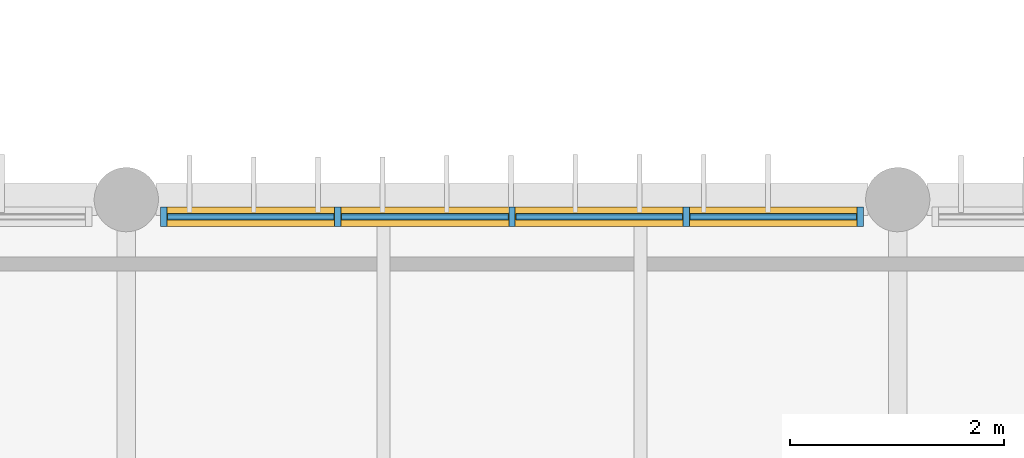
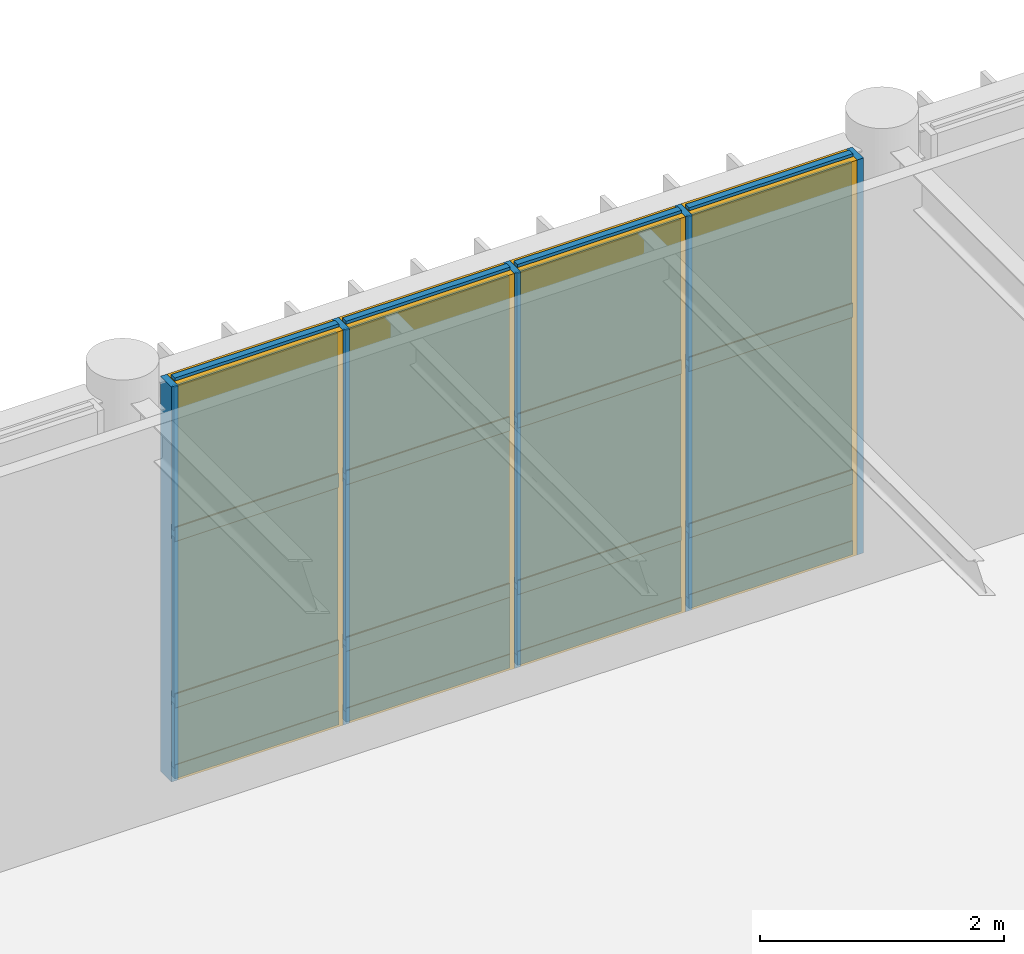
# One storey, part 80 of 104: 21 members, 12 plates, 1 curtain wall.
"""IFC4 building model written with IfcOpenShell, lengths in metres."""

from ifc_helpers import new_model, si_unit, direction, frame, frame_2d, origin, origin_2d, place, context, subcontext, project, spatial, rectangle, extrude, material, layer, layer_set, material_profile, profile_set, type_object, element, aggregate, save


model = new_model("IFC4")

# Units and contexts
model_context = context("Model", 3, precision=1e-05, world=origin(), true_north=direction((0.0, 1.0)))
body_context = subcontext(model_context, "Body", "Model", "MODEL_VIEW")
ifc_project = project(units=[si_unit("LENGTHUNIT", "METRE"), si_unit("AREAUNIT", "SQUARE_METRE"), si_unit("VOLUMEUNIT", "CUBIC_METRE"), si_unit("PLANEANGLEUNIT", "RADIAN"), si_unit("MASSUNIT", "GRAM", prefix="KILO")], contexts=[model_context])

# Member
ifc_material_1 = material(Name="Anodised Bronze Aluminium 6063-T6", Category="aluminium")
ifc_material_profile_1 = material_profile(ifc_material_1, rectangle(XDim=0.06005859375, YDim=0.179931640625, at=origin_2d()), Name="ALU MULLION 60x180")
ifc_profile_set_1 = profile_set([ifc_material_profile_1], Name="Anodised Bronze Aluminium 6063-T6")
member_type_1 = type_object("IfcMemberType", Name="Curtain-Wall Primary Mullion 60x180", PredefinedType="MULLION", material=ifc_profile_set_1)
site_placement = place(None, origin())
building_placement = place(site_placement, origin())
storey_placement = place(building_placement, frame((0.0, 0.0, 9.0)))
member_1_placement = place(storey_placement, frame((102.949951171875, 30.0400390625, 0.0), z_axis=(0.0, 0.0, 1.0), x_axis=(1.0, 0.0, 0.0)))
member_1 = element("IfcMember", 1, at=member_1_placement, type_object=member_type_1, Name="Mullion CWM-01 CW-V5-NRET-E-L02-B2-M01", PredefinedType="MULLION", context=body_context, shape_type="SweptSolid", body=[
    extrude(rectangle(XDim=0.06005859375, YDim=0.179931640625, at=origin_2d()), origin(), (0.0, 0.0, 1.0), 3.9599609375),
])

member_2_placement = place(storey_placement, frame((104.574951171875, 30.0400390625, 0.0), z_axis=(0.0, 0.0, 1.0), x_axis=(1.0, 0.0, 0.0)))
member_2 = element("IfcMember", 2, at=member_2_placement, type_object=member_type_1, Name="Mullion CWM-01 CW-V5-NRET-E-L02-B2-M02", PredefinedType="MULLION", context=body_context, shape_type="SweptSolid", body=[
    extrude(rectangle(XDim=0.06005859375, YDim=0.179931640625, at=origin_2d()), origin(), (0.0, 0.0, 1.0), 3.9599609375),
])

member_3_placement = place(storey_placement, frame((106.199951171875, 30.0400390625, 0.0), z_axis=(0.0, 0.0, 1.0), x_axis=(1.0, 0.0, 0.0)))
member_3 = element("IfcMember", 3, at=member_3_placement, type_object=member_type_1, Name="Mullion CWM-01 CW-V5-NRET-E-L02-B2-M03", PredefinedType="MULLION", context=body_context, shape_type="SweptSolid", body=[
    extrude(rectangle(XDim=0.06005859375, YDim=0.179931640625, at=origin_2d()), origin(), (0.0, 0.0, 1.0), 3.9599609375),
])

member_4_placement = place(storey_placement, frame((107.824951171875, 30.0400390625, 0.0), z_axis=(0.0, 0.0, 1.0), x_axis=(1.0, 0.0, 0.0)))
member_4 = element("IfcMember", 4, at=member_4_placement, type_object=member_type_1, Name="Mullion CWM-01 CW-V5-NRET-E-L02-B2-M04", PredefinedType="MULLION", context=body_context, shape_type="SweptSolid", body=[
    extrude(rectangle(XDim=0.06005859375, YDim=0.179931640625, at=origin_2d()), origin(), (0.0, 0.0, 1.0), 3.9599609375),
])

member_5_placement = place(storey_placement, frame((109.449951171875, 30.0400390625, 0.0), z_axis=(0.0, 0.0, 1.0), x_axis=(1.0, 0.0, 0.0)))
member_5 = element("IfcMember", 5, at=member_5_placement, type_object=member_type_1, Name="Mullion CWM-01 CW-V5-NRET-E-L02-B2-M05", PredefinedType="MULLION", context=body_context, shape_type="SweptSolid", body=[
    extrude(rectangle(XDim=0.06005859375, YDim=0.179931640625, at=origin_2d()), origin(), (0.0, 0.0, 1.0), 3.9599609375),
])

ifc_material_profile_2 = material_profile(ifc_material_1, rectangle(XDim=0.06005859375, YDim=0.139892578125, at=origin_2d()), Name="ALU TRANSOM 60x140")
ifc_profile_set_2 = profile_set([ifc_material_profile_2], Name="Anodised Bronze Aluminium 6063-T6")
member_type_2 = type_object("IfcMemberType", Name="Curtain-Wall Transom 60x140", PredefinedType="USERDEFINED", material=ifc_profile_set_2)
member_6_placement = place(storey_placement, frame((102.985107421875, 30.0400390625, 0.0400390625), z_axis=(1.0, 0.0, 0.0), x_axis=(0.0, 1.0, 0.0)))
member_6 = element("IfcMember", 6, at=member_6_placement, type_object=member_type_2, Name="Transom CWT-01 CW-V5-NRET-E-L02-B2-T01.1", ObjectType="TRANSOM", PredefinedType="USERDEFINED", context=body_context, shape_type="SweptSolid", body=[
    extrude(rectangle(XDim=0.06005859375, YDim=0.139892578125, at=origin_2d()), origin(), (0.0, 0.0, 1.0), 1.554931640625),
])

member_7_placement = place(storey_placement, frame((102.985107421875, 30.0400390625, 0.75), z_axis=(1.0, 0.0, 0.0), x_axis=(0.0, 1.0, 0.0)))
member_7 = element("IfcMember", 7, at=member_7_placement, type_object=member_type_2, Name="Transom CWT-01 CW-V5-NRET-E-L02-B2-T01.2", ObjectType="TRANSOM", PredefinedType="USERDEFINED", context=body_context, shape_type="SweptSolid", body=[
    extrude(rectangle(XDim=0.06005859375, YDim=0.139892578125, at=origin_2d()), origin(), (0.0, 0.0, 1.0), 1.554931640625),
])

member_8_placement = place(storey_placement, frame((102.985107421875, 30.0400390625, 2.419189453125), z_axis=(1.0, 0.0, 0.0), x_axis=(0.0, 1.0, 0.0)))
member_8 = element("IfcMember", 8, at=member_8_placement, type_object=member_type_2, Name="Transom CWT-01 CW-V5-NRET-E-L02-B2-T01.3", ObjectType="TRANSOM", PredefinedType="USERDEFINED", context=body_context, shape_type="SweptSolid", body=[
    extrude(rectangle(XDim=0.06005859375, YDim=0.139892578125, at=origin_2d()), origin(), (0.0, 0.0, 1.0), 1.554931640625),
])

member_9_placement = place(storey_placement, frame((102.985107421875, 30.0400390625, 3.919921875), z_axis=(1.0, 0.0, 0.0), x_axis=(0.0, 1.0, 0.0)))
member_9 = element("IfcMember", 9, at=member_9_placement, type_object=member_type_2, Name="Transom CWT-01 CW-V5-NRET-E-L02-B2-T01.4", ObjectType="TRANSOM", PredefinedType="USERDEFINED", context=body_context, shape_type="SweptSolid", body=[
    extrude(rectangle(XDim=0.06005859375, YDim=0.139892578125, at=origin_2d()), origin(), (0.0, 0.0, 1.0), 1.554931640625),
])

member_10_placement = place(storey_placement, frame((104.610107421875, 30.0400390625, 0.0400390625), z_axis=(1.0, 0.0, 0.0), x_axis=(0.0, 1.0, 0.0)))
member_10 = element("IfcMember", 10, at=member_10_placement, type_object=member_type_2, Name="Transom CWT-01 CW-V5-NRET-E-L02-B2-T02.1", ObjectType="TRANSOM", PredefinedType="USERDEFINED", context=body_context, shape_type="SweptSolid", body=[
    extrude(rectangle(XDim=0.06005859375, YDim=0.139892578125, at=origin_2d()), origin(), (0.0, 0.0, 1.0), 1.554931640625),
])

member_11_placement = place(storey_placement, frame((104.610107421875, 30.0400390625, 0.75), z_axis=(1.0, 0.0, 0.0), x_axis=(0.0, 1.0, 0.0)))
member_11 = element("IfcMember", 11, at=member_11_placement, type_object=member_type_2, Name="Transom CWT-01 CW-V5-NRET-E-L02-B2-T02.2", ObjectType="TRANSOM", PredefinedType="USERDEFINED", context=body_context, shape_type="SweptSolid", body=[
    extrude(rectangle(XDim=0.06005859375, YDim=0.139892578125, at=origin_2d()), origin(), (0.0, 0.0, 1.0), 1.554931640625),
])

member_12_placement = place(storey_placement, frame((104.610107421875, 30.0400390625, 2.419189453125), z_axis=(1.0, 0.0, 0.0), x_axis=(0.0, 1.0, 0.0)))
member_12 = element("IfcMember", 12, at=member_12_placement, type_object=member_type_2, Name="Transom CWT-01 CW-V5-NRET-E-L02-B2-T02.3", ObjectType="TRANSOM", PredefinedType="USERDEFINED", context=body_context, shape_type="SweptSolid", body=[
    extrude(rectangle(XDim=0.06005859375, YDim=0.139892578125, at=origin_2d()), origin(), (0.0, 0.0, 1.0), 1.554931640625),
])

member_13_placement = place(storey_placement, frame((104.610107421875, 30.0400390625, 3.919921875), z_axis=(1.0, 0.0, 0.0), x_axis=(0.0, 1.0, 0.0)))
member_13 = element("IfcMember", 13, at=member_13_placement, type_object=member_type_2, Name="Transom CWT-01 CW-V5-NRET-E-L02-B2-T02.4", ObjectType="TRANSOM", PredefinedType="USERDEFINED", context=body_context, shape_type="SweptSolid", body=[
    extrude(rectangle(XDim=0.06005859375, YDim=0.139892578125, at=origin_2d()), origin(), (0.0, 0.0, 1.0), 1.554931640625),
])

member_14_placement = place(storey_placement, frame((106.235107421875, 30.0400390625, 0.0400390625), z_axis=(1.0, 0.0, 0.0), x_axis=(0.0, 1.0, 0.0)))
member_14 = element("IfcMember", 14, at=member_14_placement, type_object=member_type_2, Name="Transom CWT-01 CW-V5-NRET-E-L02-B2-T03.1", ObjectType="TRANSOM", PredefinedType="USERDEFINED", context=body_context, shape_type="SweptSolid", body=[
    extrude(rectangle(XDim=0.06005859375, YDim=0.139892578125, at=origin_2d()), origin(), (0.0, 0.0, 1.0), 1.554931640625),
])

member_15_placement = place(storey_placement, frame((106.235107421875, 30.0400390625, 0.75), z_axis=(1.0, 0.0, 0.0), x_axis=(0.0, 1.0, 0.0)))
member_15 = element("IfcMember", 15, at=member_15_placement, type_object=member_type_2, Name="Transom CWT-01 CW-V5-NRET-E-L02-B2-T03.2", ObjectType="TRANSOM", PredefinedType="USERDEFINED", context=body_context, shape_type="SweptSolid", body=[
    extrude(rectangle(XDim=0.06005859375, YDim=0.139892578125, at=origin_2d()), origin(), (0.0, 0.0, 1.0), 1.554931640625),
])

member_16_placement = place(storey_placement, frame((106.235107421875, 30.0400390625, 2.419189453125), z_axis=(1.0, 0.0, 0.0), x_axis=(0.0, 1.0, 0.0)))
member_16 = element("IfcMember", 16, at=member_16_placement, type_object=member_type_2, Name="Transom CWT-01 CW-V5-NRET-E-L02-B2-T03.3", ObjectType="TRANSOM", PredefinedType="USERDEFINED", context=body_context, shape_type="SweptSolid", body=[
    extrude(rectangle(XDim=0.06005859375, YDim=0.139892578125, at=origin_2d()), origin(), (0.0, 0.0, 1.0), 1.554931640625),
])

member_17_placement = place(storey_placement, frame((106.235107421875, 30.0400390625, 3.919921875), z_axis=(1.0, 0.0, 0.0), x_axis=(0.0, 1.0, 0.0)))
member_17 = element("IfcMember", 17, at=member_17_placement, type_object=member_type_2, Name="Transom CWT-01 CW-V5-NRET-E-L02-B2-T03.4", ObjectType="TRANSOM", PredefinedType="USERDEFINED", context=body_context, shape_type="SweptSolid", body=[
    extrude(rectangle(XDim=0.06005859375, YDim=0.139892578125, at=origin_2d()), origin(), (0.0, 0.0, 1.0), 1.554931640625),
])

member_18_placement = place(storey_placement, frame((107.860107421875, 30.0400390625, 0.0400390625), z_axis=(1.0, 0.0, 0.0), x_axis=(0.0, 1.0, 0.0)))
member_18 = element("IfcMember", 18, at=member_18_placement, type_object=member_type_2, Name="Transom CWT-01 CW-V5-NRET-E-L02-B2-T04.1", ObjectType="TRANSOM", PredefinedType="USERDEFINED", context=body_context, shape_type="SweptSolid", body=[
    extrude(rectangle(XDim=0.06005859375, YDim=0.139892578125, at=origin_2d()), origin(), (0.0, 0.0, 1.0), 1.554931640625),
])

member_19_placement = place(storey_placement, frame((107.860107421875, 30.0400390625, 0.75), z_axis=(1.0, 0.0, 0.0), x_axis=(0.0, 1.0, 0.0)))
member_19 = element("IfcMember", 19, at=member_19_placement, type_object=member_type_2, Name="Transom CWT-01 CW-V5-NRET-E-L02-B2-T04.2", ObjectType="TRANSOM", PredefinedType="USERDEFINED", context=body_context, shape_type="SweptSolid", body=[
    extrude(rectangle(XDim=0.06005859375, YDim=0.139892578125, at=origin_2d()), origin(), (0.0, 0.0, 1.0), 1.554931640625),
])

member_20_placement = place(storey_placement, frame((107.860107421875, 30.0400390625, 2.419189453125), z_axis=(1.0, 0.0, 0.0), x_axis=(0.0, 1.0, 0.0)))
member_20 = element("IfcMember", 20, at=member_20_placement, type_object=member_type_2, Name="Transom CWT-01 CW-V5-NRET-E-L02-B2-T04.3", ObjectType="TRANSOM", PredefinedType="USERDEFINED", context=body_context, shape_type="SweptSolid", body=[
    extrude(rectangle(XDim=0.06005859375, YDim=0.139892578125, at=origin_2d()), origin(), (0.0, 0.0, 1.0), 1.554931640625),
])

member_21_placement = place(storey_placement, frame((107.860107421875, 30.0400390625, 3.919921875), z_axis=(1.0, 0.0, 0.0), x_axis=(0.0, 1.0, 0.0)))
member_21 = element("IfcMember", 21, at=member_21_placement, type_object=member_type_2, Name="Transom CWT-01 CW-V5-NRET-E-L02-B2-T04.4", ObjectType="TRANSOM", PredefinedType="USERDEFINED", context=body_context, shape_type="SweptSolid", body=[
    extrude(rectangle(XDim=0.06005859375, YDim=0.139892578125, at=origin_2d()), origin(), (0.0, 0.0, 1.0), 1.554931640625),
])

# Plate
ifc_material_2 = material(Name="Insulated Bronze Aluminium Spandrel Panel", Category="aluminium")
ifc_layer_1 = layer(ifc_material_2, 0.050048828125, Name="Insulated Bronze Aluminium Spandrel Panel")
ifc_layer_set_1 = layer_set([ifc_layer_1], Name="Insulated Bronze Aluminium Spandrel Panel")
plate_type_1 = type_object("IfcPlateType", Name="Insulated Anodised Aluminium Spandrel Cassette 50", PredefinedType="CURTAIN_PANEL", material=ifc_layer_set_1)
plate_1_placement = place(storey_placement, frame((103.762451171875, 30.0400390625, 0.070068359375), z_axis=(0.0, 0.0, 1.0), x_axis=(1.0, 0.0, 0.0)))
plate_1 = element("IfcPlate", 22, at=plate_1_placement, type_object=plate_type_1, Name="Curtain Panel CWP-03 CW-V5-NRET-E-L02-B2-P01.1", PredefinedType="CURTAIN_PANEL", context=body_context, shape_type="SweptSolid", body=[
    extrude(rectangle(XDim=1.554931640625, YDim=0.050048828125, at=origin_2d()), origin(), (0.0, 0.0, 1.0), 0.64990234375),
])

plate_2_placement = place(storey_placement, frame((105.387451171875, 30.0400390625, 0.070068359375), z_axis=(0.0, 0.0, 1.0), x_axis=(1.0, 0.0, 0.0)))
plate_2 = element("IfcPlate", 23, at=plate_2_placement, type_object=plate_type_1, Name="Curtain Panel CWP-03 CW-V5-NRET-E-L02-B2-P02.1", PredefinedType="CURTAIN_PANEL", context=body_context, shape_type="SweptSolid", body=[
    extrude(rectangle(XDim=1.554931640625, YDim=0.050048828125, at=origin_2d()), origin(), (0.0, 0.0, 1.0), 0.64990234375),
])

plate_3_placement = place(storey_placement, frame((107.012451171875, 30.0400390625, 0.070068359375), z_axis=(0.0, 0.0, 1.0), x_axis=(1.0, 0.0, 0.0)))
plate_3 = element("IfcPlate", 24, at=plate_3_placement, type_object=plate_type_1, Name="Curtain Panel CWP-03 CW-V5-NRET-E-L02-B2-P03.1", PredefinedType="CURTAIN_PANEL", context=body_context, shape_type="SweptSolid", body=[
    extrude(rectangle(XDim=1.554931640625, YDim=0.050048828125, at=origin_2d()), origin(), (0.0, 0.0, 1.0), 0.64990234375),
])

plate_4_placement = place(storey_placement, frame((108.637451171875, 30.0400390625, 0.070068359375), z_axis=(0.0, 0.0, 1.0), x_axis=(1.0, 0.0, 0.0)))
plate_4 = element("IfcPlate", 25, at=plate_4_placement, type_object=plate_type_1, Name="Curtain Panel CWP-03 CW-V5-NRET-E-L02-B2-P04.1", PredefinedType="CURTAIN_PANEL", context=body_context, shape_type="SweptSolid", body=[
    extrude(rectangle(XDim=1.554931640625, YDim=0.050048828125, at=origin_2d()), origin(), (0.0, 0.0, 1.0), 0.64990234375),
])

ifc_material_3 = material(Name="Solar-Control Tempered Double Glazing", Category="glass")
ifc_layer_2 = layer(ifc_material_3, 0.0380859375, Name="Solar-Control Tempered Double Glazing")
ifc_layer_set_2 = layer_set([ifc_layer_2], Name="Solar-Control Tempered Double Glazing")
plate_type_2 = type_object("IfcPlateType", Name="Solar-Control Vision Glazing Unit 38", PredefinedType="CURTAIN_PANEL", material=ifc_layer_set_2)
plate_5_placement = place(storey_placement, frame((103.762451171875, 30.0400390625, 0.7802734375), z_axis=(0.0, 0.0, 1.0), x_axis=(1.0, 0.0, 0.0)))
plate_5 = element("IfcPlate", 26, at=plate_5_placement, type_object=plate_type_2, Name="Curtain Panel CWP-02 CW-V5-NRET-E-L02-B2-P01.2", PredefinedType="CURTAIN_PANEL", context=body_context, shape_type="SweptSolid", body=[
    extrude(rectangle(XDim=1.554931640625, YDim=0.0380859375, at=origin_2d()), origin(), (0.0, 0.0, 1.0), 1.609130859375),
])

plate_6_placement = place(storey_placement, frame((103.762451171875, 30.0400390625, 2.44921875), z_axis=(0.0, 0.0, 1.0), x_axis=(1.0, 0.0, 0.0)))
plate_6 = element("IfcPlate", 27, at=plate_6_placement, type_object=plate_type_2, Name="Curtain Panel CWP-02 CW-V5-NRET-E-L02-B2-P01.3", PredefinedType="CURTAIN_PANEL", context=body_context, shape_type="SweptSolid", body=[
    extrude(rectangle(XDim=1.554931640625, YDim=0.0380859375, at=origin_2d()), origin(), (0.0, 0.0, 1.0), 1.44091796875),
])

plate_7_placement = place(storey_placement, frame((105.387451171875, 30.0400390625, 0.7802734375), z_axis=(0.0, 0.0, 1.0), x_axis=(1.0, 0.0, 0.0)))
plate_7 = element("IfcPlate", 28, at=plate_7_placement, type_object=plate_type_2, Name="Curtain Panel CWP-02 CW-V5-NRET-E-L02-B2-P02.2", PredefinedType="CURTAIN_PANEL", context=body_context, shape_type="SweptSolid", body=[
    extrude(rectangle(XDim=1.554931640625, YDim=0.0380859375, at=origin_2d()), origin(), (0.0, 0.0, 1.0), 1.609130859375),
])

plate_8_placement = place(storey_placement, frame((105.387451171875, 30.0400390625, 2.44921875), z_axis=(0.0, 0.0, 1.0), x_axis=(1.0, 0.0, 0.0)))
plate_8 = element("IfcPlate", 29, at=plate_8_placement, type_object=plate_type_2, Name="Curtain Panel CWP-02 CW-V5-NRET-E-L02-B2-P02.3", PredefinedType="CURTAIN_PANEL", context=body_context, shape_type="SweptSolid", body=[
    extrude(rectangle(XDim=1.554931640625, YDim=0.0380859375, at=origin_2d()), origin(), (0.0, 0.0, 1.0), 1.44091796875),
])

plate_9_placement = place(storey_placement, frame((107.012451171875, 30.0400390625, 0.7802734375), z_axis=(0.0, 0.0, 1.0), x_axis=(1.0, 0.0, 0.0)))
plate_9 = element("IfcPlate", 30, at=plate_9_placement, type_object=plate_type_2, Name="Curtain Panel CWP-02 CW-V5-NRET-E-L02-B2-P03.2", PredefinedType="CURTAIN_PANEL", context=body_context, shape_type="SweptSolid", body=[
    extrude(rectangle(XDim=1.554931640625, YDim=0.0380859375, at=origin_2d()), origin(), (0.0, 0.0, 1.0), 1.609130859375),
])

plate_10_placement = place(storey_placement, frame((107.012451171875, 30.0400390625, 2.44921875), z_axis=(0.0, 0.0, 1.0), x_axis=(1.0, 0.0, 0.0)))
plate_10 = element("IfcPlate", 31, at=plate_10_placement, type_object=plate_type_2, Name="Curtain Panel CWP-02 CW-V5-NRET-E-L02-B2-P03.3", PredefinedType="CURTAIN_PANEL", context=body_context, shape_type="SweptSolid", body=[
    extrude(rectangle(XDim=1.554931640625, YDim=0.0380859375, at=origin_2d()), origin(), (0.0, 0.0, 1.0), 1.44091796875),
])

plate_11_placement = place(storey_placement, frame((108.637451171875, 30.0400390625, 0.7802734375), z_axis=(0.0, 0.0, 1.0), x_axis=(1.0, 0.0, 0.0)))
plate_11 = element("IfcPlate", 32, at=plate_11_placement, type_object=plate_type_2, Name="Curtain Panel CWP-02 CW-V5-NRET-E-L02-B2-P04.2", PredefinedType="CURTAIN_PANEL", context=body_context, shape_type="SweptSolid", body=[
    extrude(rectangle(XDim=1.554931640625, YDim=0.0380859375, at=origin_2d()), origin(), (0.0, 0.0, 1.0), 1.609130859375),
])

plate_12_placement = place(storey_placement, frame((108.637451171875, 30.0400390625, 2.44921875), z_axis=(0.0, 0.0, 1.0), x_axis=(1.0, 0.0, 0.0)))
plate_12 = element("IfcPlate", 33, at=plate_12_placement, type_object=plate_type_2, Name="Curtain Panel CWP-02 CW-V5-NRET-E-L02-B2-P04.3", PredefinedType="CURTAIN_PANEL", context=body_context, shape_type="SweptSolid", body=[
    extrude(rectangle(XDim=1.554931640625, YDim=0.0380859375, at=origin_2d()), origin(), (0.0, 0.0, 1.0), 1.44091796875),
])

# Site, building, storey
site = spatial("IfcSite", under=ifc_project, at=site_placement, CompositionType="ELEMENT")
building = spatial("IfcBuilding", under=site, at=building_placement, Name="Tazoul Stagehouse", CompositionType="ELEMENT")
storey = spatial("IfcBuildingStorey", under=building, at=storey_placement, Name="L02", CompositionType="ELEMENT", Elevation=9.0)

# Curtain wall
curtain_wall_type = type_object("IfcCurtainWallType", Name="Foyer Clear Solar-Control Curtain Wall", PredefinedType="NOTDEFINED", material=ifc_material_1)
curtain_wall_placement = place(storey_placement, frame((102.949951171875, 30.0400390625, 0.0), z_axis=(0.0, 0.0, 1.0), x_axis=(1.0, 0.0, 0.0)))
curtain_wall = element("IfcCurtainWall", 34, at=curtain_wall_placement, inside=storey, type_object=curtain_wall_type, Name="L02 Curtain Wall CW-02 (CW-V5-NRET-E-L02-B2)", PredefinedType="NOTDEFINED", context=body_context, shape_type="SweptSolid", body=[
    extrude(rectangle(XDim=6.5, YDim=0.179931640625, at=frame_2d((3.25, 0.0))), origin(), (0.0, 0.0, 1.0), 3.9599609375),
])

aggregate(curtain_wall, [member_1, member_2, member_3, member_4, member_5, member_6, member_7, member_8, member_9, plate_1, plate_5, plate_6, member_10, member_11, member_12, member_13, plate_2, plate_7, plate_8, member_14, member_15, member_16, member_17, plate_3, plate_9, plate_10, member_18, member_19, member_20, member_21, plate_4, plate_11, plate_12])

save(model, "model.ifc")
